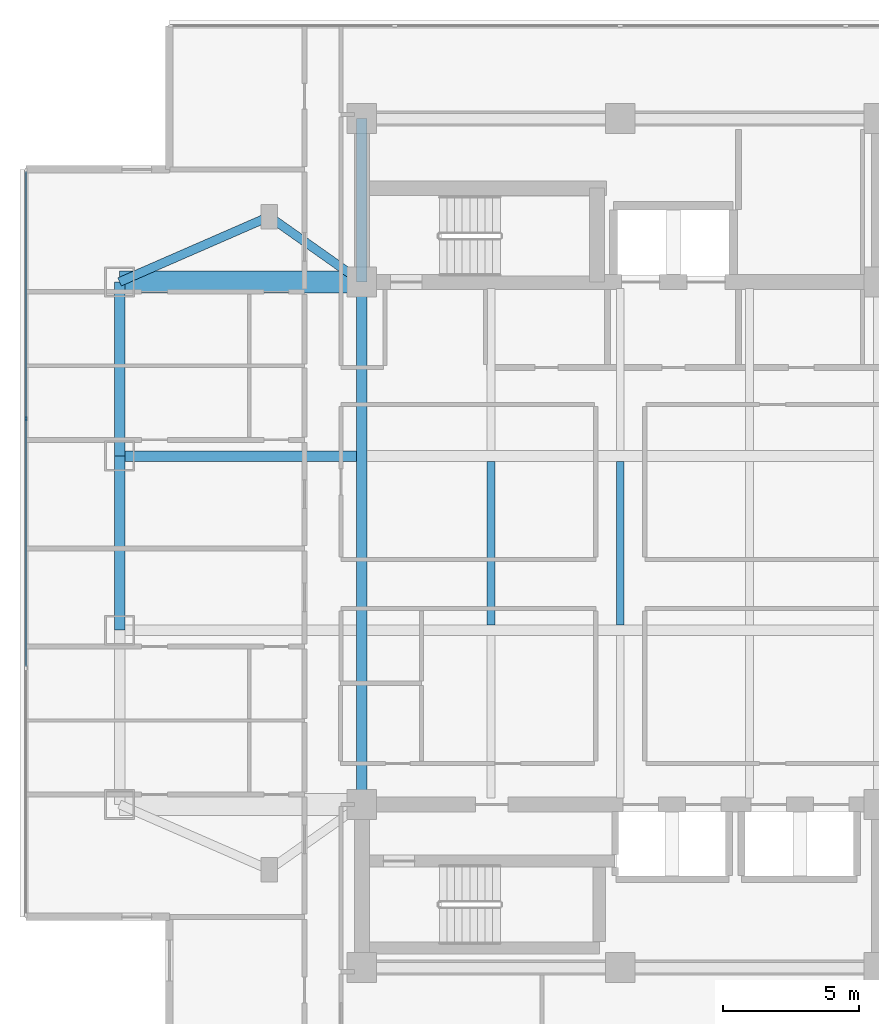
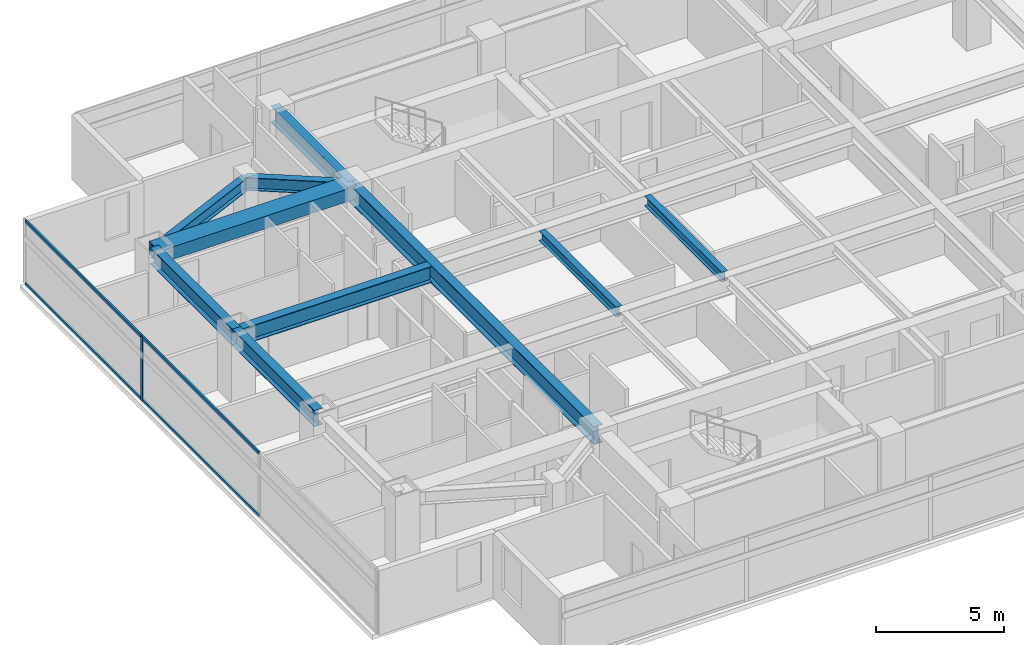
# One storey, part 3 of 24: 10 beams, 5 members, 1 element without a shape of its own.
"""IFC4 building model written with IfcOpenShell, lengths in metres."""

from ifc_helpers import new_model, si_unit, direction, frame, origin, origin_2d, place, context, subcontext, project, spatial, rectangle, i_section, extrude, material, material_profile, profile_set, type_object, element, aggregate, save


model = new_model("IFC4")

# Units and contexts
model_context = context("Model", 3, precision=1e-05, world=origin(), true_north=direction((0.0, 1.0)))
body_context = subcontext(model_context, "Body", "Model", "MODEL_VIEW")
ifc_project = project(units=[si_unit("LENGTHUNIT", "METRE"), si_unit("AREAUNIT", "SQUARE_METRE"), si_unit("VOLUMEUNIT", "CUBIC_METRE"), si_unit("PLANEANGLEUNIT", "RADIAN"), si_unit("MASSUNIT", "GRAM", prefix="KILO")], contexts=[model_context])

# Site, building, storey
site_placement = place(None, origin())
site = spatial("IfcSite", under=ifc_project, at=site_placement, CompositionType="ELEMENT")
building_placement = place(site_placement, origin())
building = spatial("IfcBuilding", under=site, at=building_placement, Name="Mirazonda Arch Towers", CompositionType="ELEMENT")
storey_placement = place(building_placement, frame((0.0, 0.0, 141.199951171875)))
storey = spatial("IfcBuildingStorey", under=building, at=storey_placement, Name="L40", CompositionType="ELEMENT", Elevation=141.199951171875)

# Beams
ifc_material_1 = material(Name="Steel ASTM A992 Grade 50", Category="steel")
ifc_material_profile_1 = material_profile(ifc_material_1, i_section(OverallWidth=0.381103515625, OverallDepth=0.77294921875, WebThickness=0.0166015625, FlangeThickness=0.027099609375, at=origin_2d()), Name="W30X173")
ifc_profile_set_1 = profile_set([ifc_material_profile_1], Name="Steel ASTM A992 Grade 50")
beam_type_1 = type_object("IfcBeamType", Name="BM-EXT-W30X173", PredefinedType="USERDEFINED", material=ifc_profile_set_1)
beam_1_placement = place(storey_placement, frame((2.10009765625, 24.800048828125, 2.693603515625), z_axis=(0.0, 1.0, 0.0), x_axis=(-1.0, 0.0, 0.0)))
element("IfcBeam", 1, at=beam_1_placement, inside=storey, type_object=beam_type_1, Name="L40 Floor Beam BM-T1-L40-NS-W-24", ObjectType="GIRDER", PredefinedType="USERDEFINED", context=body_context, shape_type="SweptSolid", body=[
    extrude(i_section(OverallWidth=0.381103515625, OverallDepth=0.77294921875, WebThickness=0.0166015625, FlangeThickness=0.027099609375, at=origin_2d()), origin(), (0.0, 0.0, 1.0), 6.39990234375),
])
beam_2_placement = place(storey_placement, frame((2.10009765625, 31.199951171875, 2.693603515625), z_axis=(0.0, 1.0, 0.0), x_axis=(-1.0, 0.0, 0.0)))
element("IfcBeam", 2, at=beam_2_placement, inside=storey, type_object=beam_type_1, Name="L40 Floor Beam BM-T1-L40-NS-W-31", ObjectType="GIRDER", PredefinedType="USERDEFINED", context=body_context, shape_type="SweptSolid", body=[
    extrude(i_section(OverallWidth=0.381103515625, OverallDepth=0.77294921875, WebThickness=0.0166015625, FlangeThickness=0.027099609375, at=origin_2d()), origin(), (0.0, 0.0, 1.0), 6.400146484375),
])
ifc_material_profile_2 = material_profile(ifc_material_1, i_section(OverallWidth=0.280029296875, OverallDepth=0.462890625, WebThickness=0.0107421875, FlangeThickness=0.017333984375, at=origin_2d()), Name="W18X76")
ifc_profile_set_2 = profile_set([ifc_material_profile_2], Name="Steel ASTM A992 Grade 50")
beam_type_2 = type_object("IfcBeamType", Name="BM-INT-W18X76", PredefinedType="JOIST", material=ifc_profile_set_2)
for number, where, z_axis, x_axis, name in (
    (3, (15.75, 24.99609375, 2.8486328125), (0.0, 1.0, 0.0), (-1.0, 0.0, 0.0), "L40 Floor Beam BM-T1-L40-J-157-24"),
    (4, (20.5, 24.99609375, 2.8486328125), (0.0, 1.0, 0.0), (-1.0, 0.0, 0.0), "L40 Floor Beam BM-T1-L40-J-205-24"),
):
    element("IfcBeam", number, at=place(storey_placement, frame(where, z_axis=z_axis, x_axis=x_axis)), inside=storey, type_object=beam_type_2, Name=name, PredefinedType="JOIST", context=body_context, shape_type="SweptSolid", body=[
        extrude(i_section(OverallWidth=0.280029296875, OverallDepth=0.462890625, WebThickness=0.0107421875, FlangeThickness=0.017333984375, at=origin_2d()), origin(), (0.0, 0.0, 1.0), 6.0078125),
    ])
ifc_material_profile_3 = material_profile(ifc_material_1, i_section(OverallWidth=0.324951171875, OverallDepth=0.615966796875, WebThickness=0.013916015625, FlangeThickness=0.021484375, at=origin_2d()), Name="W24X117")
ifc_profile_set_3 = profile_set([ifc_material_profile_3], Name="Steel ASTM A992 Grade 50")
beam_type_3 = type_object("IfcBeamType", Name="BM-INT-W24X117", PredefinedType="BEAM", material=ifc_profile_set_3)
beam_3_placement = place(storey_placement, frame((7.60009765625, 40.0, 2.77197265625), z_axis=(0.816971114901, -0.576678591087, 0.0), x_axis=(0.576678591087, 0.816971114901, 0.0)))
element("IfcBeam", 5, at=beam_3_placement, inside=storey, type_object=beam_type_3, Name="L40 Floor Beam BM-T1-L40-PL-NW1", PredefinedType="BEAM", context=body_context, shape_type="SweptSolid", body=[
    extrude(i_section(OverallWidth=0.324951171875, OverallDepth=0.615966796875, WebThickness=0.013916015625, FlangeThickness=0.021484375, at=origin_2d()), origin(), (0.0, 0.0, 1.0), 4.16162109375),
])
beam_4_placement = place(storey_placement, frame((7.60009765625, 40.0, 2.77197265625), z_axis=(-0.916545343703, -0.399930785183, 0.0), x_axis=(0.399930785183, -0.916545343703, 0.0)))
element("IfcBeam", 6, at=beam_4_placement, inside=storey, type_object=beam_type_3, Name="L40 Floor Beam BM-T1-L40-PL-NW2", PredefinedType="BEAM", context=body_context, shape_type="SweptSolid", body=[
    extrude(i_section(OverallWidth=0.324951171875, OverallDepth=0.615966796875, WebThickness=0.013916015625, FlangeThickness=0.021484375, at=origin_2d()), origin(), (0.0, 0.0, 1.0), 6.000732421875),
])
ifc_material_profile_4 = material_profile(ifc_material_1, i_section(OverallWidth=0.381103515625, OverallDepth=0.77294921875, WebThickness=0.0166015625, FlangeThickness=0.027099609375, at=origin_2d()), Name="W30X173")
ifc_profile_set_4 = profile_set([ifc_material_profile_4], Name="Steel ASTM A992 Grade 50")
beam_type_4 = type_object("IfcBeamType", Name="BM-INT-W30X173", PredefinedType="USERDEFINED", material=ifc_profile_set_4)
beam_5_placement = place(storey_placement, frame((2.10009765625, 31.199951171875, 2.693603515625), z_axis=(1.0, 0.0, 0.0), x_axis=(0.0, 1.0, 0.0)))
element("IfcBeam", 7, at=beam_5_placement, inside=storey, type_object=beam_type_4, Name="L40 Floor Beam BM-T1-L40-GW3", ObjectType="GIRDER", PredefinedType="USERDEFINED", context=body_context, shape_type="SweptSolid", body=[
    extrude(i_section(OverallWidth=0.381103515625, OverallDepth=0.77294921875, WebThickness=0.0166015625, FlangeThickness=0.027099609375, at=origin_2d()), origin(), (0.0, 0.0, 1.0), 8.699951171875),
])
beam_6_placement = place(storey_placement, frame((11.0, 37.60009765625, 2.693603515625), z_axis=(0.0, 1.0, 0.0), x_axis=(-1.0, 0.0, 0.0)))
element("IfcBeam", 8, at=beam_6_placement, inside=storey, type_object=beam_type_4, Name="L40 Floor Beam BM-T1-L40-CNW", ObjectType="GIRDER", PredefinedType="USERDEFINED", context=body_context, shape_type="SweptSolid", body=[
    extrude(i_section(OverallWidth=0.381103515625, OverallDepth=0.77294921875, WebThickness=0.0166015625, FlangeThickness=0.027099609375, at=origin_2d()), origin(), (0.0, 0.0, 1.0), 6.0),
])
ifc_material_profile_5 = material_profile(ifc_material_1, i_section(OverallWidth=0.39990234375, OverallDepth=0.85595703125, WebThickness=0.018310546875, FlangeThickness=0.029296875, at=origin_2d()), Name="W33X201")
ifc_profile_set_5 = profile_set([ifc_material_profile_5], Name="Steel ASTM A992 Grade 50")
beam_type_5 = type_object("IfcBeamType", Name="BM-INT-W33X201", PredefinedType="USERDEFINED", material=ifc_profile_set_5)
beam_7_placement = place(storey_placement, frame((11.0, 18.39990234375, 2.652099609375), z_axis=(0.0, 1.0, 0.0), x_axis=(-1.0, 0.0, 0.0)))
element("IfcBeam", 9, at=beam_7_placement, inside=storey, type_object=beam_type_5, Name="L40 Floor Beam BM-T1-L40-NS-CW-FULL", ObjectType="GIRDER", PredefinedType="USERDEFINED", context=body_context, shape_type="SweptSolid", body=[
    extrude(i_section(OverallWidth=0.39990234375, OverallDepth=0.85595703125, WebThickness=0.018310546875, FlangeThickness=0.029296875, at=origin_2d()), origin(), (0.0, 0.0, 1.0), 19.2001953125),
])
ifc_material_2 = material(Name="Concrete C60/75", Category="concrete")
ifc_material_profile_6 = material_profile(ifc_material_2, rectangle(XDim=0.800048828125, YDim=0.60009765625, at=origin_2d()), Name="RCCB800x600")
ifc_profile_set_6 = profile_set([ifc_material_profile_6], Name="Concrete C60/75")
beam_type_6 = type_object("IfcBeamType", Name="CB-INT-RCCB800x600", PredefinedType="SPANDREL", material=ifc_profile_set_6)
beam_8_placement = place(storey_placement, frame((2.10009765625, 37.60009765625, 2.780029296875), z_axis=(1.0, 0.0, 0.0), x_axis=(0.0, 1.0, 0.0)))
element("IfcBeam", 10, at=beam_8_placement, inside=storey, type_object=beam_type_6, Name="L40 Floor Beam CBC-T1-L40-NW", PredefinedType="SPANDREL", context=body_context, shape_type="SweptSolid", body=[
    extrude(rectangle(XDim=0.800048828125, YDim=0.60009765625, at=origin_2d()), origin(), (0.0, 0.0, 1.0), 8.89990234375),
])

# Curtain wall, members
ifc_material_3 = material(Name="Anodised Aluminium and Low-E Glass", Category="aluminium")
curtain_wall_type = type_object("IfcCurtainWallType", Name="CW-HTL-UNIT", PredefinedType="NOTDEFINED", material=ifc_material_3)
curtain_wall_placement = place(storey_placement, origin())
curtain_wall = element("IfcCurtainWall", 11, at=curtain_wall_placement, inside=storey, type_object=curtain_wall_type, Name="L40 T1 W Facade CW-L40-T1-W", PredefinedType="NOTDEFINED")
ifc_material_4 = material(Name="Anodised Aluminium Alloy", Category="aluminium")
ifc_material_profile_7 = material_profile(ifc_material_4, rectangle(XDim=0.074951171875, YDim=0.1650390625, at=origin_2d()), Name="ALU-MULL-75x165")
ifc_profile_set_7 = profile_set([ifc_material_profile_7], Name="Anodised Aluminium Alloy")
member_type_1 = type_object("IfcMemberType", Name="MULL-CW-HTL-UNIT", PredefinedType="MULLION", material=ifc_profile_set_7)
member_1_placement = place(storey_placement, frame((-1.340087890625, 32.57861328125, 0.0), z_axis=(0.0, 0.0, 1.0), x_axis=(1.0, 0.0, 0.0)))
member_1 = element("IfcMember", 12, at=member_1_placement, type_object=member_type_1, Name="CW-112 mullion 2", PredefinedType="MULLION", context=body_context, shape_type="SweptSolid", body=[
    extrude(rectangle(XDim=0.074951171875, YDim=0.1650390625, at=origin_2d()), origin(), (0.0, 0.0, 1.0), 3.06005859375),
])
ifc_material_profile_8 = material_profile(ifc_material_4, rectangle(XDim=0.074951171875, YDim=0.14501953125, at=origin_2d()), Name="ALU-TRAN-75x145")
ifc_profile_set_8 = profile_set([ifc_material_profile_8], Name="Anodised Aluminium Alloy")
member_type_2 = type_object("IfcMemberType", Name="TRAN-CW-HTL-UNIT", PredefinedType="USERDEFINED", material=ifc_profile_set_8)
member_2_placement = place(storey_placement, frame((-1.340087890625, 41.660888671875, 0.03759765625), z_axis=(0.0, -1.0, 0.0), x_axis=(1.0, 0.0, 0.0)))
member_2 = element("IfcMember", 13, at=member_2_placement, type_object=member_type_2, Name="CW-112 transom 1.1", ObjectType="TRANSOM", PredefinedType="USERDEFINED", context=body_context, shape_type="SweptSolid", body=[
    extrude(rectangle(XDim=0.074951171875, YDim=0.14501953125, at=origin_2d()), origin(), (0.0, 0.0, 1.0), 9.044677734375),
])
member_3_placement = place(storey_placement, frame((-1.340087890625, 41.660888671875, 3.0224609375), z_axis=(0.0, -1.0, 0.0), x_axis=(1.0, 0.0, 0.0)))
member_3 = element("IfcMember", 14, at=member_3_placement, type_object=member_type_2, Name="CW-112 transom 1.2", ObjectType="TRANSOM", PredefinedType="USERDEFINED", context=body_context, shape_type="SweptSolid", body=[
    extrude(rectangle(XDim=0.074951171875, YDim=0.14501953125, at=origin_2d()), origin(), (0.0, 0.0, 1.0), 9.044677734375),
])
member_4_placement = place(storey_placement, frame((-1.340087890625, 32.541259765625, 0.03759765625), z_axis=(0.0, -1.0, 0.0), x_axis=(1.0, 0.0, 0.0)))
member_4 = element("IfcMember", 15, at=member_4_placement, type_object=member_type_2, Name="CW-112 transom 2.1", ObjectType="TRANSOM", PredefinedType="USERDEFINED", context=body_context, shape_type="SweptSolid", body=[
    extrude(rectangle(XDim=0.074951171875, YDim=0.14501953125, at=origin_2d()), origin(), (0.0, 0.0, 1.0), 9.08251953125),
])
member_5_placement = place(storey_placement, frame((-1.340087890625, 32.541259765625, 3.0224609375), z_axis=(0.0, -1.0, 0.0), x_axis=(1.0, 0.0, 0.0)))
member_5 = element("IfcMember", 16, at=member_5_placement, type_object=member_type_2, Name="CW-112 transom 2.2", ObjectType="TRANSOM", PredefinedType="USERDEFINED", context=body_context, shape_type="SweptSolid", body=[
    extrude(rectangle(XDim=0.074951171875, YDim=0.14501953125, at=origin_2d()), origin(), (0.0, 0.0, 1.0), 9.08251953125),
])
aggregate(curtain_wall, [member_1, member_2, member_3, member_4, member_5])

save(model, "model.ifc")
